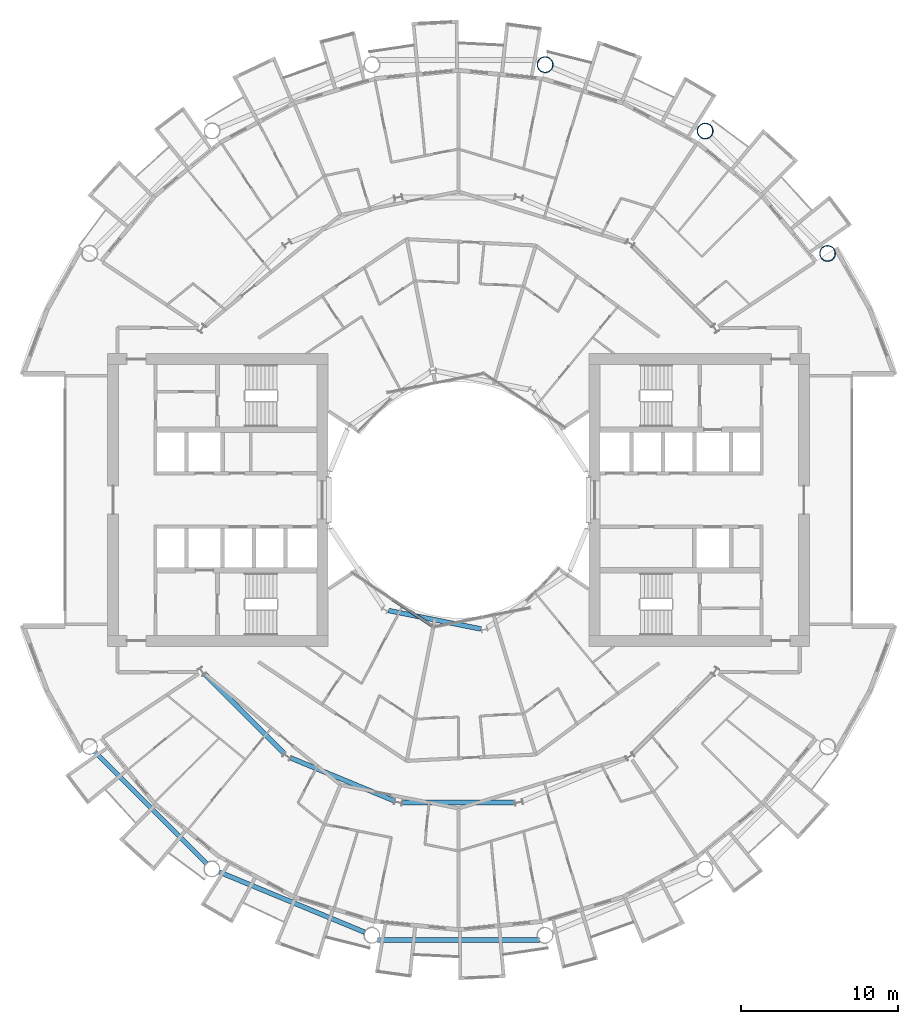
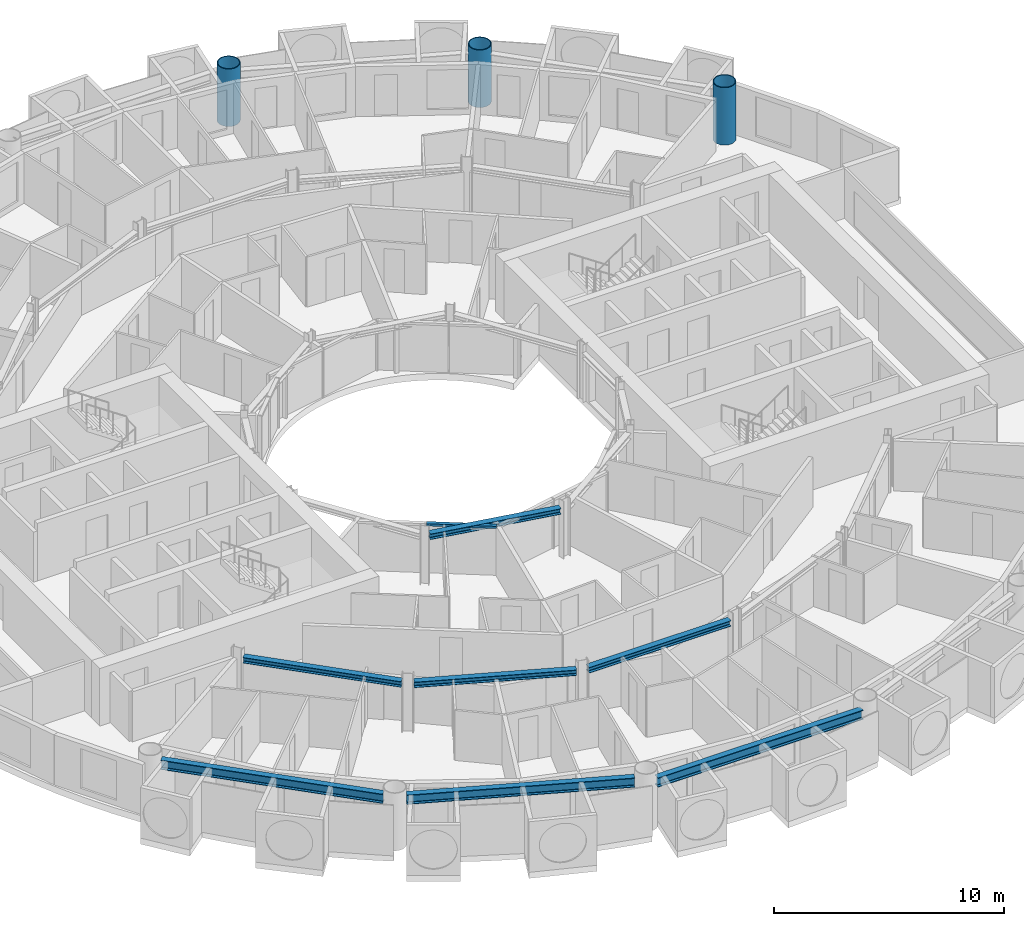
# One storey, part 4 of 25: 7 beams, 3 columns, 1 member, 1 element without a shape of its own.
"""IFC4 building model written with IfcOpenShell, lengths in metres."""

from ifc_helpers import new_model, si_unit, direction, frame, origin, origin_2d, place, context, subcontext, project, spatial, rectangle, hollow_circle, i_section, extrude, material, layer, layer_set, material_profile, profile_set, type_object, element, aggregate, save


model = new_model("IFC4")

# Units and contexts
model_context = context("Model", 3, precision=1e-05, world=origin(), true_north=direction((0.0, 1.0)))
body_context = subcontext(model_context, "Body", "Model", "MODEL_VIEW")
ifc_project = project(units=[si_unit("LENGTHUNIT", "METRE"), si_unit("AREAUNIT", "SQUARE_METRE"), si_unit("VOLUMEUNIT", "CUBIC_METRE"), si_unit("PLANEANGLEUNIT", "RADIAN"), si_unit("MASSUNIT", "GRAM", prefix="KILO")], contexts=[model_context])

# Site, building, storey
site_placement = place(None, origin())
site = spatial("IfcSite", under=ifc_project, at=site_placement, CompositionType="ELEMENT")
building_placement = place(site_placement, origin())
building = spatial("IfcBuilding", under=site, at=building_placement, Name="Maasbend Ring Residences", CompositionType="ELEMENT")
storey_placement = place(building_placement, frame((0.0, 0.0, 94.10009765625)))
storey = spatial("IfcBuildingStorey", under=building, at=storey_placement, Name="L27", CompositionType="ELEMENT", Elevation=94.10009765625)

# Columns
ifc_material_1 = material(Name="Composite concrete-filled steel tube S460NH / C80/95", Category="concrete")
ifc_material_profile_1 = material_profile(ifc_material_1, hollow_circle(Radius=0.508056640625, WallThickness=0.0400390625, at=origin_2d()), Name="Composite tube column CHS 1016x40")
ifc_profile_set_1 = profile_set([ifc_material_profile_1], Name="Composite concrete-filled steel tube S460NH / C80/95")
column_type = type_object("IfcColumnType", Name="Composite tube column CHS 1016x40", PredefinedType="COLUMN", material=ifc_profile_set_1)
for number, where, z_axis, x_axis, name in (
    (1, (23.447509765625, 15.6669921875, 0.0), (0.0, 0.0, 1.0), (1.0, 0.0, 0.0), "Outer column R2"),
    (2, (15.6669921875, 23.447509765625, 0.0), (0.0, 0.0, 1.0), (1.0, 0.0, 0.0), "Outer column R3"),
    (3, (5.50146484375, 27.658203125, 0.0), (0.0, 0.0, 1.0), (1.0, 0.0, 0.0), "Outer column R4"),
):
    element("IfcColumn", number, at=place(storey_placement, frame(where, z_axis=z_axis, x_axis=x_axis)), inside=storey, type_object=column_type, Name=name, PredefinedType="COLUMN", context=body_context, shape_type="SweptSolid", body=[
        extrude(hollow_circle(Radius=0.508056640625, WallThickness=0.0400390625, at=origin_2d()), origin(), (0.0, 0.0, 1.0), 3.0498046875),
    ])

# Curtain wall, member
ifc_material_2 = material(Name="Aluminium and clear glass", Category="aluminium")
ifc_layer = layer(ifc_material_2, 0.179931640625)
ifc_layer_set = layer_set([ifc_layer], Name="CW-W")
curtain_wall_type = type_object("IfcCurtainWallType", Name="CW-W", PredefinedType="NOTDEFINED", material=ifc_layer_set)
curtain_wall_placement = place(storey_placement, origin())
curtain_wall = element("IfcCurtainWall", 4, at=curtain_wall_placement, inside=storey, type_object=curtain_wall_type, Name="Well curtain wall S1", PredefinedType="NOTDEFINED")
ifc_material_3 = material(Name="Aluminium 6063-T6", Category="aluminium")
ifc_material_profile_2 = material_profile(ifc_material_3, rectangle(XDim=0.179931640625, YDim=0.1201171875, at=origin_2d()), Name="AL 180x120")
ifc_profile_set_2 = profile_set([ifc_material_profile_2], Name="Aluminium 6063-T6")
member_type = type_object("IfcMemberType", Name="CWT-W", PredefinedType="USERDEFINED", material=ifc_profile_set_2)
member_placement = place(storey_placement, frame((-4.19189453125, -6.32763671875, 2.58984375), z_axis=(0.831496422459, -0.555530106689, 0.0), x_axis=(0.555530106689, 0.831496422459, 0.0)))
member = element("IfcMember", 5, at=member_placement, type_object=member_type, Name="Transom well face", ObjectType="TRANSOM", PredefinedType="USERDEFINED", context=body_context, shape_type="SweptSolid", body=[
    extrude(rectangle(XDim=0.179931640625, YDim=0.1201171875, at=origin_2d()), origin(), (0.0, 0.0, 1.0), 3.053955078125),
])
aggregate(curtain_wall, [member])

# Beams
ifc_material_4 = material(Name="Steel S355J2", Category="steel")
ifc_material_profile_3 = material_profile(ifc_material_4, i_section(OverallWidth=0.300048828125, OverallDepth=0.300048828125, WebThickness=0.010986328125, FlangeThickness=0.01904296875, FilletRadius=0.027099609375, at=origin_2d()), Name="HEB 300")
ifc_profile_set_3 = profile_set([ifc_material_profile_3], Name="Steel S355J2")
beam_type_1 = type_object("IfcBeamType", Name="Corridor ring beam HEB 300", PredefinedType="BEAM", material=ifc_profile_set_3)
for number, where, z_axis, x_axis, name in (
    (6, (-16.10791015625, -11.078125, 2.5), (0.707106781187, -0.707106781187, 0.0), (0.707106781187, 0.707106781187, 0.0), "Corridor ring beam"),
    (7, (-10.642333984375, -16.39892578125, 2.5), (0.923877113721, -0.382689271788, 0.0), (0.382689271788, 0.923877113721, 0.0), "Corridor ring beam"),
    (8, (-3.556640625, -19.223388671875, 2.5), (1.0, 0.0, 0.0), (0.0, 1.0, 0.0), "Corridor ring beam"),
):
    element("IfcBeam", number, at=place(storey_placement, frame(where, z_axis=z_axis, x_axis=x_axis)), inside=storey, type_object=beam_type_1, Name=name, PredefinedType="BEAM", context=body_context, shape_type="SweptSolid", body=[
        extrude(i_section(OverallWidth=0.300048828125, OverallDepth=0.300048828125, WebThickness=0.010986328125, FlangeThickness=0.01904296875, FilletRadius=0.027099609375, at=origin_2d()), origin(), (0.0, 0.0, 1.0), 7.11328125),
    ])
ifc_material_5 = material(Name="Steel S355J2", Category="steel")
ifc_material_profile_4 = material_profile(ifc_material_5, i_section(OverallWidth=0.300048828125, OverallDepth=0.5, WebThickness=0.014404296875, FlangeThickness=0.028076171875, FilletRadius=0.027099609375, at=origin_2d()), Name="HEB 500")
ifc_profile_set_4 = profile_set([ifc_material_profile_4], Name="Steel S355J2")
beam_type_2 = type_object("IfcBeamType", Name="Spandrel ring beam HEB 500", PredefinedType="SPANDREL", material=ifc_profile_set_4)
beam_1_placement = place(storey_placement, frame((-23.088134765625, -16.0263671875, 2.39990234375), z_axis=(0.707106781187, -0.707106781187, 0.0), x_axis=(0.707106781187, 0.707106781187, 0.0)))
element("IfcBeam", 9, at=beam_1_placement, inside=storey, type_object=beam_type_2, Name="Spandrel ring beam", PredefinedType="SPANDREL", context=body_context, shape_type="SweptSolid", body=[
    extrude(i_section(OverallWidth=0.300048828125, OverallDepth=0.5, WebThickness=0.014404296875, FlangeThickness=0.028076171875, FilletRadius=0.027099609375, at=origin_2d()), origin(), (0.0, 0.0, 1.0), 9.98681640625),
])
beam_2_placement = place(storey_placement, frame((-15.19775390625, -23.641845703125, 2.39990234375), z_axis=(0.923886337442, -0.382667003395, 0.0), x_axis=(0.382667003395, 0.923886337442, 0.0)))
element("IfcBeam", 10, at=beam_2_placement, inside=storey, type_object=beam_type_2, Name="Spandrel ring beam", PredefinedType="SPANDREL", context=body_context, shape_type="SweptSolid", body=[
    extrude(i_section(OverallWidth=0.300048828125, OverallDepth=0.5, WebThickness=0.014404296875, FlangeThickness=0.028076171875, FilletRadius=0.027099609375, at=origin_2d()), origin(), (0.0, 0.0, 1.0), 9.9873046875),
])
beam_3_placement = place(storey_placement, frame((-5.1435546875, -27.9580078125, 2.39990234375), z_axis=(1.0, 0.0, 0.0), x_axis=(0.0, 1.0, 0.0)))
element("IfcBeam", 11, at=beam_3_placement, inside=storey, type_object=beam_type_2, Name="Spandrel ring beam", PredefinedType="SPANDREL", context=body_context, shape_type="SweptSolid", body=[
    extrude(i_section(OverallWidth=0.300048828125, OverallDepth=0.5, WebThickness=0.014404296875, FlangeThickness=0.028076171875, FilletRadius=0.027099609375, at=origin_2d()), origin(), (0.0, 0.0, 1.0), 10.287109375),
])
ifc_material_6 = material(Name="Steel S355J2", Category="steel")
ifc_material_profile_5 = material_profile(ifc_material_6, i_section(OverallWidth=0.300048828125, OverallDepth=0.300048828125, WebThickness=0.010986328125, FlangeThickness=0.01904296875, FilletRadius=0.027099609375, at=origin_2d()), Name="HEB 300")
ifc_profile_set_5 = profile_set([ifc_material_profile_5], Name="Steel S355J2")
beam_type_3 = type_object("IfcBeamType", Name="Well edge beam HEB 300", PredefinedType="BEAM", material=ifc_profile_set_5)
beam_4_placement = place(storey_placement, frame((-4.45458984375, -7.026611328125, 2.5), z_axis=(0.980789954577, -0.195066821885, 0.0), x_axis=(0.195066821885, 0.980789954577, 0.0)))
element("IfcBeam", 12, at=beam_4_placement, inside=storey, type_object=beam_type_3, Name="Well edge beam", PredefinedType="BEAM", context=body_context, shape_type="SweptSolid", body=[
    extrude(i_section(OverallWidth=0.300048828125, OverallDepth=0.300048828125, WebThickness=0.010986328125, FlangeThickness=0.01904296875, FilletRadius=0.027099609375, at=origin_2d()), origin(), (0.0, 0.0, 1.0), 5.996337890625),
])

save(model, "model.ifc")
